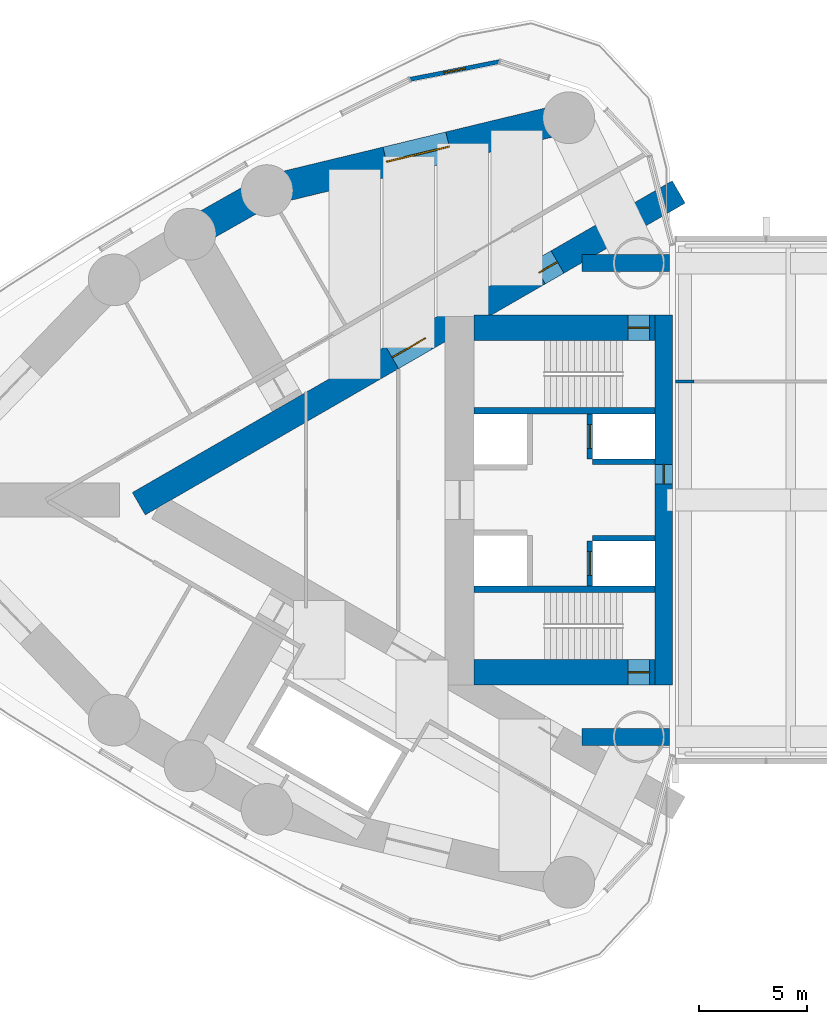
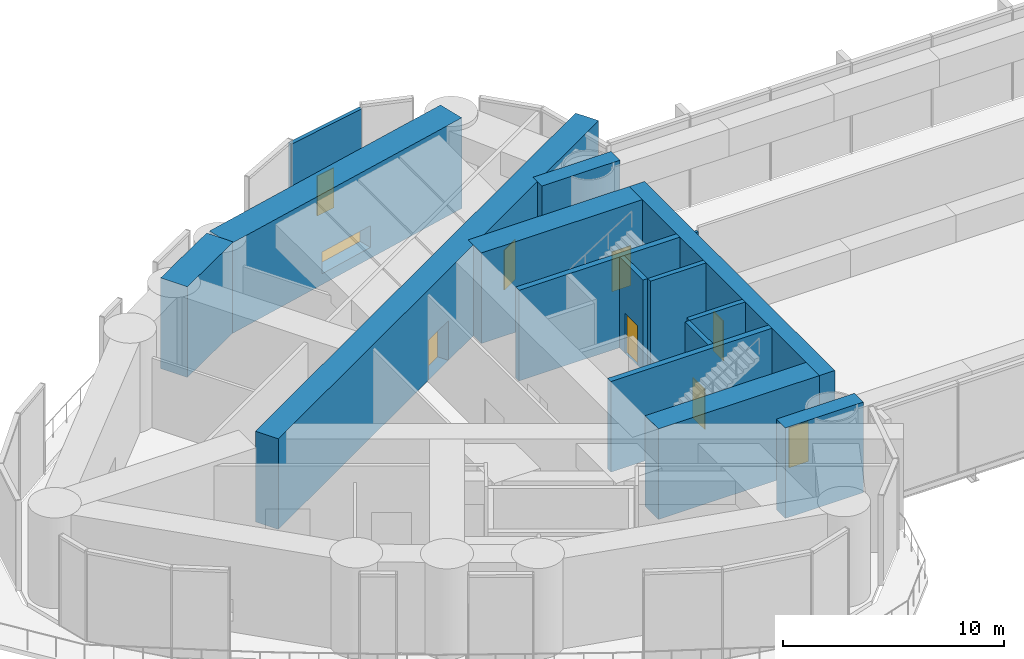
# One storey, part 16 of 22: 16 walls, 8 doors, 1 window, 9 openings.
"""IFC4 building model written with IfcOpenShell, lengths in metres."""

from ifc_helpers import new_model, si_unit, direction, frame, frame_2d, origin, place, context, subcontext, project, spatial, rectangle, extrude, material, layer, layer_set, type_object, element, fill, save


model = new_model("IFC4")

# Units and contexts
model_context = context("Model", 3, precision=1e-05, world=origin(), true_north=direction((0.0, 1.0)))
body_context = subcontext(model_context, "Body", "Model", "MODEL_VIEW")
ifc_project = project(units=[si_unit("LENGTHUNIT", "METRE"), si_unit("AREAUNIT", "SQUARE_METRE"), si_unit("VOLUMEUNIT", "CUBIC_METRE"), si_unit("PLANEANGLEUNIT", "RADIAN"), si_unit("MASSUNIT", "GRAM", prefix="KILO")], contexts=[model_context])

# Site, building, storey
site_placement = place(None, origin())
site = spatial("IfcSite", under=ifc_project, at=site_placement, CompositionType="ELEMENT")
building_placement = place(site_placement, origin())
building = spatial("IfcBuilding", under=site, at=building_placement, Name="Lancet Gate Hotel", CompositionType="ELEMENT")
storey_placement = place(building_placement, frame((0.0, 0.0, 210.300048828125)))
storey = spatial("IfcBuildingStorey", under=building, at=storey_placement, Name="L56", CompositionType="ELEMENT", Elevation=210.300048828125)

# Wall, opening, window
ifc_material_1 = material(Name="Concrete C80/95", Category="concrete")
ifc_layer_1 = layer(ifc_material_1, 1.39990234375)
ifc_layer_set_1 = layer_set([ifc_layer_1], Name="Belt wall 1400")
wall_type_1 = type_object("IfcWallType", Name="Belt wall 1400", PredefinedType="SHEAR", material=ifc_layer_set_1)
wall_1_placement = place(storey_placement, frame((-32.301025390625, 17.745361328125, 0.0), z_axis=(0.0, 0.0, 1.0), x_axis=(-0.972132796948, -0.234430853556, 0.0)))
wall_1 = element("IfcWall", 1, at=wall_1_placement, inside=storey, type_object=wall_type_1, Name="T1 belt wall CS-OS1 L56", PredefinedType="SHEAR", context=body_context, shape_type="SweptSolid", body=[
    extrude(rectangle(XDim=14.41748046875, YDim=1.39990234375, at=frame_2d((7.208740234375, 0.0))), origin(), (0.0, 0.0, 1.0), 5.0),
])
opening_1_placement = place(wall_1_placement, frame((5.708740234375, 0.0, 0.60009765625)))
opening_1 = element("IfcOpeningElement", 2, at=opening_1_placement, cuts=wall_1, Name="Opening LV1", PredefinedType="OPENING", context=body_context, shape_type="SweptSolid", body=[
    extrude(rectangle(XDim=3.0, YDim=1.199951171875, at=frame_2d((1.5, 0.60009765625))), frame((0.0, 0.7099609375, 0.0), z_axis=(0.0, -1.0, 0.0), x_axis=(1.0, 0.0, 0.0)), (0.0, 0.0, 1.0), 1.419921875),
])
ifc_material_2 = material(Name="Aluminium weather louvre", Category="aluminium")
window_type = type_object("IfcWindowType", Name="Refuge louvre 3000x1200", PartitioningType="SINGLE_PANEL", PredefinedType="WINDOW", material=ifc_material_2)
window_placement = place(opening_1_placement, origin())
window = element("IfcWindow", 3, at=window_placement, inside=storey, type_object=window_type, Name="T1 belt louvre CS-OS1 L56", OverallHeight=1.199951171875, OverallWidth=3.0, PartitioningType="SINGLE_PANEL", PredefinedType="WINDOW", context=body_context, shape_type="SweptSolid", body=[
    extrude(rectangle(XDim=3.0, YDim=1.199951171875, at=frame_2d((1.5, 0.60009765625))), frame((0.0, 0.030029296875, 0.0), z_axis=(0.0, -1.0, 0.0), x_axis=(1.0, 0.0, 0.0)), (0.0, 0.0, 1.0), 0.06005859375),
])
fill(opening_1, window)

# Wall
wall_2_placement = place(storey_placement, frame((-46.316650390625, 14.365478515625, 0.0), z_axis=(0.0, 0.0, 1.0), x_axis=(-0.869978841992, -0.493089053301, 0.0)))
element("IfcWall", 4, at=wall_2_placement, inside=storey, type_object=wall_type_1, Name="T1 belt wall OS1-OS2 L56", PredefinedType="SHEAR", context=body_context, shape_type="SweptSolid", body=[
    extrude(rectangle(XDim=4.107666015625, YDim=1.39990234375, at=frame_2d((2.0537109375, 0.0))), origin(), (0.0, 0.0, 1.0), 5.0),
])

# Wall, openings, doors
ifc_material_3 = material(Name="Concrete C70/85", Category="concrete")
ifc_layer_2 = layer(ifc_material_3, 1.199951171875)
ifc_layer_set_2 = layer_set([ifc_layer_2], Name="Buttress wall 1200")
wall_type_2 = type_object("IfcWallType", Name="Buttress wall 1200", PredefinedType="SHEAR", material=ifc_layer_set_2)
wall_3_placement = place(storey_placement, frame((-27.199951171875, 14.300048828125, 0.0), z_axis=(0.0, 0.0, 1.0), x_axis=(-0.866026593062, -0.499997940104, 0.0)))
wall_3 = element("IfcWall", 5, at=wall_3_placement, inside=storey, type_object=wall_type_2, Name="T1 buttress wall S L56", PredefinedType="SHEAR", context=body_context, shape_type="SweptSolid", body=[
    extrude(rectangle(XDim=28.9462890625, YDim=1.199951171875, at=frame_2d((14.47314453125, 0.0))), origin(), (0.0, 0.0, 1.0), 5.0),
])
opening_2_placement = place(wall_3_placement, frame((6.5, 0.0, 0.0)))
opening_2 = element("IfcOpeningElement", 6, at=opening_2_placement, cuts=wall_3, Name="Opening T1-L56-LS", PredefinedType="OPENING", context=body_context, shape_type="SweptSolid", body=[
    extrude(rectangle(XDim=1.0, YDim=2.199951171875, at=frame_2d((0.5, 1.10009765625))), frame((0.0, 0.60986328125, 0.0), z_axis=(0.0, -1.0, 0.0), x_axis=(1.0, 0.0, 0.0)), (0.0, 0.0, 1.0), 1.219970703125),
])
opening_3_placement = place(wall_3_placement, frame((13.567626953125, 0.0, 0.0)))
opening_3 = element("IfcOpeningElement", 7, at=opening_3_placement, cuts=wall_3, Name="Opening T1-L56-LHS", PredefinedType="OPENING", context=body_context, shape_type="SweptSolid", body=[
    extrude(rectangle(XDim=1.800048828125, YDim=2.199951171875, at=frame_2d((0.89990234375, 1.10009765625))), frame((0.0, 0.60986328125, 0.0), z_axis=(0.0, -1.0, 0.0), x_axis=(1.0, 0.0, 0.0)), (0.0, 0.0, 1.0), 1.219970703125),
])
ifc_material_4 = material(Name="Timber door set", Category="wood")
door_type_1 = type_object("IfcDoorType", Name="Lobby double door 1800", OperationType="DOUBLE_DOOR_SINGLE_SWING", PredefinedType="DOOR", material=ifc_material_4)
door_1_placement = place(opening_3_placement, origin())
door_1 = element("IfcDoor", 8, at=door_1_placement, inside=storey, type_object=door_type_1, Name="T1-L56-LHS", OperationType="DOUBLE_DOOR_SINGLE_SWING", OverallHeight=2.199951171875, OverallWidth=1.800048828125, PredefinedType="DOOR", context=body_context, shape_type="SweptSolid", body=[
    extrude(rectangle(XDim=1.800048828125, YDim=2.199951171875, at=frame_2d((0.89990234375, 1.10009765625))), frame((0.0, 0.02490234375, 0.0), z_axis=(0.0, -1.0, 0.0), x_axis=(1.0, 0.0, 0.0)), (0.0, 0.0, 1.0), 0.050048828125),
])
fill(opening_3, door_1)
ifc_material_5 = material(Name="Timber door set", Category="wood")
door_type_2 = type_object("IfcDoorType", Name="Stair lobby door 1000", OperationType="SINGLE_SWING_LEFT", PredefinedType="DOOR", material=ifc_material_5)
door_2_placement = place(opening_2_placement, origin())
door_2 = element("IfcDoor", 9, at=door_2_placement, inside=storey, type_object=door_type_2, Name="T1-L56-LS", OperationType="SINGLE_SWING_LEFT", OverallHeight=2.199951171875, OverallWidth=1.0, PredefinedType="DOOR", context=body_context, shape_type="SweptSolid", body=[
    extrude(rectangle(XDim=1.0, YDim=2.199951171875, at=frame_2d((0.5, 1.10009765625))), frame((0.0, 0.02490234375, 0.0), z_axis=(0.0, -1.0, 0.0), x_axis=(1.0, 0.0, 0.0)), (0.0, 0.0, 1.0), 0.050048828125),
])
fill(opening_2, door_2)

# Wall, opening, door
ifc_material_6 = material(Name="Concrete C70/85", Category="concrete")
ifc_layer_3 = layer(ifc_material_6, 1.199951171875)
ifc_layer_set_3 = layer_set([ifc_layer_3], Name="Core wall 1200")
wall_type_3 = type_object("IfcWallType", Name="Core wall 1200", PredefinedType="SHEAR", material=ifc_layer_set_3)
wall_4_placement = place(storey_placement, frame((-28.300048828125, 8.0, 0.0), z_axis=(0.0, 0.0, 1.0), x_axis=(-1.0, 0.0, 0.0)))
wall_4 = element("IfcWall", 10, at=wall_4_placement, inside=storey, type_object=wall_type_3, Name="T1 core wall side-S L56", PredefinedType="SHEAR", context=body_context, shape_type="SweptSolid", body=[
    extrude(rectangle(XDim=8.39990234375, YDim=1.199951171875, at=frame_2d((4.199951171875, 0.0))), origin(), (0.0, 0.0, 1.0), 5.0),
])
opening_4_placement = place(wall_4_placement, frame((0.25, 0.0, 0.0)))
opening_4 = element("IfcOpeningElement", 11, at=opening_4_placement, cuts=wall_4, Name="Opening T1-L56-ST1", PredefinedType="OPENING", context=body_context, shape_type="SweptSolid", body=[
    extrude(rectangle(XDim=1.0, YDim=2.199951171875, at=frame_2d((0.5, 1.10009765625))), frame((0.0, 0.60986328125, 0.0), z_axis=(0.0, -1.0, 0.0), x_axis=(1.0, 0.0, 0.0)), (0.0, 0.0, 1.0), 1.219970703125),
])
ifc_material_7 = material(Name="Timber door set", Category="wood")
door_type_3 = type_object("IfcDoorType", Name="Stair door 1000", OperationType="SINGLE_SWING_RIGHT", PredefinedType="DOOR", material=ifc_material_7)
door_3_placement = place(opening_4_placement, origin())
door_3 = element("IfcDoor", 12, at=door_3_placement, inside=storey, type_object=door_type_3, Name="T1-L56-ST1", OperationType="SINGLE_SWING_RIGHT", OverallHeight=2.199951171875, OverallWidth=1.0, PredefinedType="DOOR", context=body_context, shape_type="SweptSolid", body=[
    extrude(rectangle(XDim=1.0, YDim=2.199951171875, at=frame_2d((0.5, 1.10009765625))), frame((0.0, 0.02490234375, 0.0), z_axis=(0.0, -1.0, 0.0), x_axis=(1.0, 0.0, 0.0)), (0.0, 0.0, 1.0), 0.050048828125),
])
fill(opening_4, door_3)

wall_5_placement = place(storey_placement, frame((-28.300048828125, -8.0, 0.0), z_axis=(0.0, 0.0, 1.0), x_axis=(-1.0, 0.0, 0.0)))
wall_5 = element("IfcWall", 13, at=wall_5_placement, inside=storey, type_object=wall_type_3, Name="T1 core wall side-N L56", PredefinedType="SHEAR", context=body_context, shape_type="SweptSolid", body=[
    extrude(rectangle(XDim=8.39990234375, YDim=1.199951171875, at=frame_2d((4.199951171875, 0.0))), origin(), (0.0, 0.0, 1.0), 5.0),
])
opening_5_placement = place(wall_5_placement, frame((0.25, 0.0, 0.0)))
opening_5 = element("IfcOpeningElement", 14, at=opening_5_placement, cuts=wall_5, Name="Opening T1-L56-ST2", PredefinedType="OPENING", context=body_context, shape_type="SweptSolid", body=[
    extrude(rectangle(XDim=1.0, YDim=2.199951171875, at=frame_2d((0.5, 1.10009765625))), frame((0.0, 0.60986328125, 0.0), z_axis=(0.0, -1.0, 0.0), x_axis=(1.0, 0.0, 0.0)), (0.0, 0.0, 1.0), 1.219970703125),
])
door_4_placement = place(opening_5_placement, origin())
door_4 = element("IfcDoor", 15, at=door_4_placement, inside=storey, type_object=door_type_3, Name="T1-L56-ST2", OperationType="SINGLE_SWING_RIGHT", OverallHeight=2.199951171875, OverallWidth=1.0, PredefinedType="DOOR", context=body_context, shape_type="SweptSolid", body=[
    extrude(rectangle(XDim=1.0, YDim=2.199951171875, at=frame_2d((0.5, 1.10009765625))), frame((0.0, 0.02490234375, 0.0), z_axis=(0.0, -1.0, 0.0), x_axis=(1.0, 0.0, 0.0)), (0.0, 0.0, 1.0), 0.050048828125),
])
fill(opening_5, door_4)

ifc_material_8 = material(Name="Concrete C70/85", Category="concrete")
ifc_layer_4 = layer(ifc_material_8, 0.800048828125)
ifc_layer_set_4 = layer_set([ifc_layer_4], Name="Core wall 800")
wall_type_4 = type_object("IfcWallType", Name="Core wall 800", PredefinedType="SHEAR", material=ifc_layer_set_4)
wall_6_placement = place(storey_placement, frame((-27.89990234375, 8.60009765625, 0.0), z_axis=(0.0, 0.0, 1.0), x_axis=(0.0, -1.0, 0.0)))
wall_6 = element("IfcWall", 16, at=wall_6_placement, inside=storey, type_object=wall_type_4, Name="T1 core wall front L56", PredefinedType="SHEAR", context=body_context, shape_type="SweptSolid", body=[
    extrude(rectangle(XDim=17.2001953125, YDim=0.800048828125, at=frame_2d((8.60009765625, 0.0))), origin(), (0.0, 0.0, 1.0), 5.0),
])
opening_6_placement = place(wall_6_placement, frame((6.949951171875, 0.0, 0.0)))
opening_6 = element("IfcOpeningElement", 17, at=opening_6_placement, cuts=wall_6, Name="Opening T1-L56-BR", PredefinedType="OPENING", context=body_context, shape_type="SweptSolid", body=[
    extrude(rectangle(XDim=0.89990234375, YDim=2.199951171875, at=frame_2d((0.449951171875, 1.10009765625))), frame((0.0, 0.409912109375, 0.0), z_axis=(0.0, -1.0, 0.0), x_axis=(1.0, 0.0, 0.0)), (0.0, 0.0, 1.0), 0.820068359375),
])
ifc_material_9 = material(Name="Steel door set", Category="steel")
door_type_4 = type_object("IfcDoorType", Name="Bridge fire door 900", OperationType="SINGLE_SWING_LEFT", PredefinedType="DOOR", material=ifc_material_9)
door_5_placement = place(opening_6_placement, origin())
door_5 = element("IfcDoor", 18, at=door_5_placement, inside=storey, type_object=door_type_4, Name="T1-L56-BR", OperationType="SINGLE_SWING_LEFT", OverallHeight=2.199951171875, OverallWidth=0.89990234375, PredefinedType="DOOR", context=body_context, shape_type="SweptSolid", body=[
    extrude(rectangle(XDim=0.89990234375, YDim=2.199951171875, at=frame_2d((0.449951171875, 1.10009765625))), frame((0.0, 0.02490234375, 0.0), z_axis=(0.0, -1.0, 0.0), x_axis=(1.0, 0.0, 0.0)), (0.0, 0.0, 1.0), 0.050048828125),
])
fill(opening_6, door_5)

ifc_material_10 = material(Name="Glazed aluminium screen", Category="aluminium")
ifc_layer_5 = layer(ifc_material_10, 0.199951171875)
ifc_layer_set_5 = layer_set([ifc_layer_5], Name="Glazed entrance screen 200")
wall_type_5 = type_object("IfcWallType", Name="Glazed entrance screen 200", PredefinedType="STANDARD", material=ifc_layer_set_5)
wall_7_placement = place(storey_placement, frame((-39.684814453125, 19.521240234375, 0.0), z_axis=(0.0, 0.0, 1.0), x_axis=(0.980858378754, 0.194722471298, 0.0)))
wall_7 = element("IfcWall", 19, at=wall_7_placement, inside=storey, type_object=wall_type_5, Name="T1 maintenance roof screen L56", PredefinedType="STANDARD", context=body_context, shape_type="SweptSolid", body=[
    extrude(rectangle(XDim=4.245361328125, YDim=0.199951171875, at=frame_2d((2.12255859375, 0.0))), origin(), (0.0, 0.0, 1.0), 4.75),
])
opening_7_placement = place(wall_7_placement, frame((1.62255859375, 0.0, 0.0)))
opening_7 = element("IfcOpeningElement", 20, at=opening_7_placement, cuts=wall_7, Name="Opening T1-L56-MR", PredefinedType="OPENING", context=body_context, shape_type="SweptSolid", body=[
    extrude(rectangle(XDim=1.0, YDim=2.199951171875, at=frame_2d((0.5, 1.10009765625))), frame((0.0, 0.10986328125, 0.0), z_axis=(0.0, -1.0, 0.0), x_axis=(1.0, 0.0, 0.0)), (0.0, 0.0, 1.0), 0.219970703125),
])
ifc_material_11 = material(Name="Steel door set, weather sealed", Category="steel")
door_type_5 = type_object("IfcDoorType", Name="Maintenance roof door 1000 external", OperationType="SINGLE_SWING_LEFT", PredefinedType="DOOR", material=ifc_material_11)
door_6_placement = place(opening_7_placement, origin())
door_6 = element("IfcDoor", 21, at=door_6_placement, inside=storey, type_object=door_type_5, Name="Maintenance roof access door T1-L56-MR", OperationType="SINGLE_SWING_LEFT", OverallHeight=2.199951171875, OverallWidth=1.0, PredefinedType="DOOR", context=body_context, shape_type="SweptSolid", body=[
    extrude(rectangle(XDim=1.0, YDim=2.199951171875, at=frame_2d((0.5, 1.10009765625))), frame((0.0, 0.02490234375, 0.0), z_axis=(0.0, -1.0, 0.0), x_axis=(1.0, 0.0, 0.0)), (0.0, 0.0, 1.0), 0.050048828125),
])
fill(opening_7, door_6)

ifc_material_12 = material(Name="Concrete C50/60", Category="concrete")
ifc_layer_6 = layer(ifc_material_12, 0.25)
ifc_layer_set_6 = layer_set([ifc_layer_6], Name="Lift shaft wall 250")
wall_type_6 = type_object("IfcWallType", Name="Lift shaft wall 250", PredefinedType="SHEAR", material=ifc_layer_set_6)
wall_8_placement = place(storey_placement, frame((-31.324951171875, 4.0, 0.0), z_axis=(0.0, 0.0, 1.0), x_axis=(0.0, -1.0, 0.0)))
wall_8 = element("IfcWall", 22, at=wall_8_placement, inside=storey, type_object=wall_type_6, Name="T1 core wall row1-S L56", PredefinedType="SHEAR", context=body_context, shape_type="SweptSolid", body=[
    extrude(rectangle(XDim=2.10009765625, YDim=0.25, at=frame_2d((1.050048828125, 0.0))), origin(), (0.0, 0.0, 1.0), 5.0),
])
opening_8_placement = place(wall_8_placement, frame((0.5, 0.0, 0.0)))
opening_8 = element("IfcOpeningElement", 23, at=opening_8_placement, cuts=wall_8, Name="Opening T1-SL1-L56", PredefinedType="OPENING", context=body_context, shape_type="SweptSolid", body=[
    extrude(rectangle(XDim=1.10009765625, YDim=2.199951171875, at=frame_2d((0.550048828125, 1.10009765625))), frame((0.0, 0.135009765625, 0.0), z_axis=(0.0, -1.0, 0.0), x_axis=(1.0, 0.0, 0.0)), (0.0, 0.0, 1.0), 0.27001953125),
])
ifc_material_13 = material(Name="Timber door set", Category="wood")
door_type_6 = type_object("IfcDoorType", Name="Service lift landing door 1100", OperationType="SLIDING_TO_LEFT", PredefinedType="USERDEFINED", material=ifc_material_13)
door_7_placement = place(opening_8_placement, origin())
door_7 = element("IfcDoor", 24, at=door_7_placement, inside=storey, type_object=door_type_6, Name="T1-SL1-L56", ObjectType="LIFT LANDING DOOR", OperationType="SLIDING_TO_LEFT", OverallHeight=2.199951171875, OverallWidth=1.10009765625, PredefinedType="USERDEFINED", context=body_context, shape_type="SweptSolid", body=[
    extrude(rectangle(XDim=1.10009765625, YDim=2.199951171875, at=frame_2d((0.550048828125, 1.10009765625))), frame((0.0, 0.02490234375, 0.0), z_axis=(0.0, -1.0, 0.0), x_axis=(1.0, 0.0, 0.0)), (0.0, 0.0, 1.0), 0.050048828125),
])
fill(opening_8, door_7)

# Wall
wall_9_placement = place(storey_placement, frame((-28.300048828125, 1.77490234375, 0.0), z_axis=(0.0, 0.0, 1.0), x_axis=(-1.0, 0.0, 0.0)))
element("IfcWall", 25, at=wall_9_placement, inside=storey, type_object=wall_type_6, Name="T1 core wall pass1-S L56", PredefinedType="SHEAR", context=body_context, shape_type="SweptSolid", body=[
    extrude(rectangle(XDim=2.89990234375, YDim=0.25, at=frame_2d((1.449951171875, 0.0))), origin(), (0.0, 0.0, 1.0), 5.0),
])

# Wall, opening, door
wall_10_placement = place(storey_placement, frame((-31.324951171875, -1.89990234375, 0.0), z_axis=(0.0, 0.0, 1.0), x_axis=(0.0, -1.0, 0.0)))
wall_10 = element("IfcWall", 26, at=wall_10_placement, inside=storey, type_object=wall_type_6, Name="T1 core wall row1-N L56", PredefinedType="SHEAR", context=body_context, shape_type="SweptSolid", body=[
    extrude(rectangle(XDim=2.10009765625, YDim=0.25, at=frame_2d((1.050048828125, 0.0))), origin(), (0.0, 0.0, 1.0), 5.0),
])
opening_9_placement = place(wall_10_placement, frame((0.5, 0.0, 0.0)))
opening_9 = element("IfcOpeningElement", 27, at=opening_9_placement, cuts=wall_10, Name="Opening T1-FL2-L56", PredefinedType="OPENING", context=body_context, shape_type="SweptSolid", body=[
    extrude(rectangle(XDim=1.10009765625, YDim=2.199951171875, at=frame_2d((0.550048828125, 1.10009765625))), frame((0.0, 0.135009765625, 0.0), z_axis=(0.0, -1.0, 0.0), x_axis=(1.0, 0.0, 0.0)), (0.0, 0.0, 1.0), 0.27001953125),
])
ifc_material_14 = material(Name="Steel door set", Category="steel")
door_type_7 = type_object("IfcDoorType", Name="Firefighting lift landing door 1100", OperationType="SLIDING_TO_LEFT", PredefinedType="USERDEFINED", material=ifc_material_14)
door_8_placement = place(opening_9_placement, origin())
door_8 = element("IfcDoor", 28, at=door_8_placement, inside=storey, type_object=door_type_7, Name="T1-FL2-L56", ObjectType="LIFT LANDING DOOR", OperationType="SLIDING_TO_LEFT", OverallHeight=2.199951171875, OverallWidth=1.10009765625, PredefinedType="USERDEFINED", context=body_context, shape_type="SweptSolid", body=[
    extrude(rectangle(XDim=1.10009765625, YDim=2.199951171875, at=frame_2d((0.550048828125, 1.10009765625))), frame((0.0, 0.02490234375, 0.0), z_axis=(0.0, -1.0, 0.0), x_axis=(1.0, 0.0, 0.0)), (0.0, 0.0, 1.0), 0.050048828125),
])
fill(opening_9, door_8)

# Walls
wall_11_placement = place(storey_placement, frame((-28.300048828125, -1.77490234375, 0.0), z_axis=(0.0, 0.0, 1.0), x_axis=(-1.0, 0.0, 0.0)))
element("IfcWall", 29, at=wall_11_placement, inside=storey, type_object=wall_type_6, Name="T1 core wall pass1-N L56", PredefinedType="SHEAR", context=body_context, shape_type="SweptSolid", body=[
    extrude(rectangle(XDim=2.89990234375, YDim=0.25, at=frame_2d((1.449951171875, 0.0))), origin(), (0.0, 0.0, 1.0), 5.0),
])
ifc_material_15 = material(Name="Concrete C70/85", Category="concrete")
ifc_layer_7 = layer(ifc_material_15, 0.800048828125)
ifc_layer_set_7 = layer_set([ifc_layer_7], Name="Outrigger wall 800, truss lines")
wall_type_7 = type_object("IfcWallType", Name="Outrigger wall 800, truss lines", PredefinedType="SHEAR", material=ifc_layer_set_7)
for number, where, z_axis, x_axis, name in (
    (30, (-27.6201171875, -11.0, 0.0), (0.0, 0.0, 1.0), (-1.0, 0.0, 0.0), "T1 transfer wall TS L56"),
    (31, (-27.6201171875, 11.0, 0.0), (0.0, 0.0, 1.0), (-1.0, 0.0, 0.0), "T1 transfer wall TN L56"),
):
    element("IfcWall", number, at=place(storey_placement, frame(where, z_axis=z_axis, x_axis=x_axis)), inside=storey, type_object=wall_type_7, Name=name, PredefinedType="SHEAR", context=body_context, shape_type="SweptSolid", body=[
        extrude(rectangle(XDim=4.07568359375, YDim=0.800048828125, at=frame_2d((2.037841796875, 0.0))), origin(), (0.0, 0.0, 1.0), 5.0),
    ])
ifc_material_16 = material(Name="Gypsum board partition")
ifc_layer_8 = layer(ifc_material_16, 0.14990234375)
ifc_layer_set_8 = layer_set([ifc_layer_8], Name="Service room wall 150")
wall_type_8 = type_object("IfcWallType", Name="Service room wall 150", PredefinedType="PARTITIONING", material=ifc_layer_set_8)
wall_12_placement = place(storey_placement, frame((-27.35009765625, 5.5, 0.0), z_axis=(0.0, 0.0, 1.0), x_axis=(1.0, 0.0, 0.0)))
element("IfcWall", 32, at=wall_12_placement, inside=storey, type_object=wall_type_8, Name="Bridge block service room wall 150 L56", PredefinedType="PARTITIONING", context=body_context, shape_type="SweptSolid", body=[
    extrude(rectangle(XDim=0.85009765625, YDim=0.14990234375, at=frame_2d((0.425048828125, 0.0))), origin(), (0.0, 0.0, 1.0), 3.800048828125),
])
ifc_material_17 = material(Name="Concrete C50/60", Category="concrete")
ifc_layer_9 = layer(ifc_material_17, 0.300048828125)
ifc_layer_set_9 = layer_set([ifc_layer_9], Name="Stair enclosure wall 300")
wall_type_9 = type_object("IfcWallType", Name="Stair enclosure wall 300", PredefinedType="SHEAR", material=ifc_layer_set_9)
for number, where, z_axis, x_axis, name in (
    (33, (-28.300048828125, 4.14990234375, 0.0), (0.0, 0.0, 1.0), (-1.0, 0.0, 0.0), "T1 core wall stair-S L56"),
    (34, (-28.300048828125, -4.14990234375, 0.0), (0.0, 0.0, 1.0), (-1.0, 0.0, 0.0), "T1 core wall stair-N L56"),
):
    element("IfcWall", number, at=place(storey_placement, frame(where, z_axis=z_axis, x_axis=x_axis)), inside=storey, type_object=wall_type_9, Name=name, PredefinedType="SHEAR", context=body_context, shape_type="SweptSolid", body=[
        extrude(rectangle(XDim=8.39990234375, YDim=0.300048828125, at=frame_2d((4.199951171875, 0.0))), origin(), (0.0, 0.0, 1.0), 5.0),
    ])

save(model, "model.ifc")
